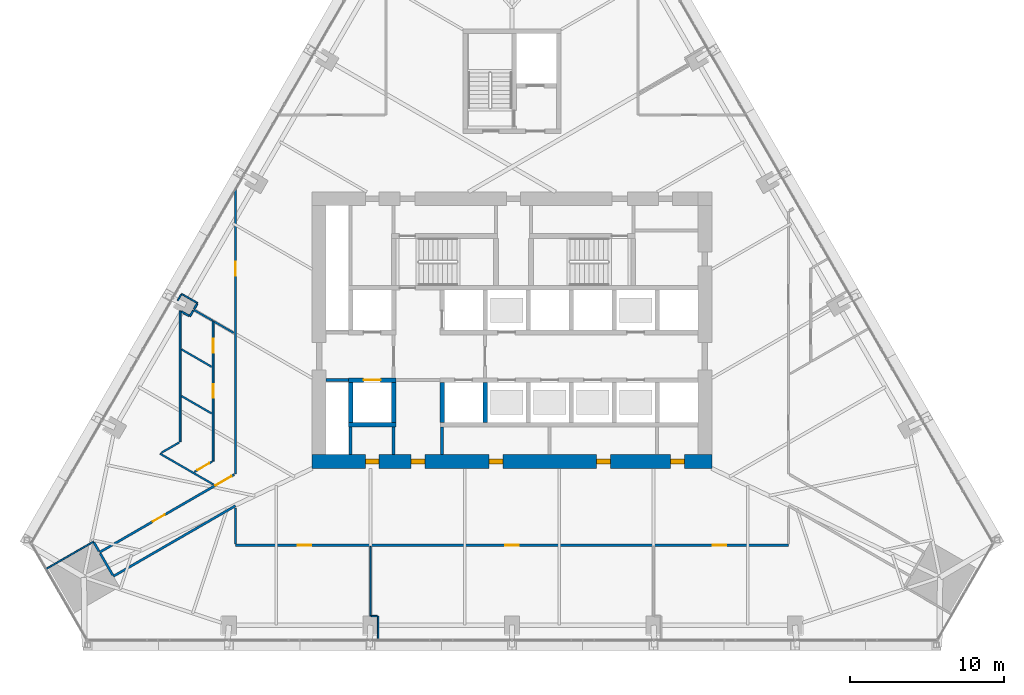
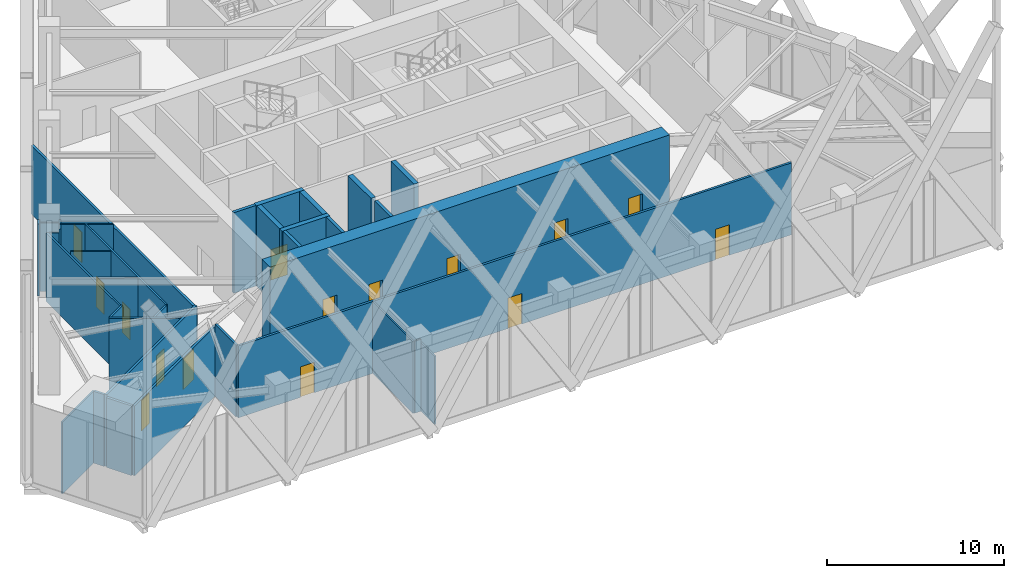
# One storey, part 15 of 21: 36 walls, 15 doors, 15 openings.
"""IFC4 building model written with IfcOpenShell, lengths in metres."""

from ifc_helpers import new_model, si_unit, direction, frame, frame_2d, origin, place, context, subcontext, project, spatial, rectangle, extrude, material, layer, layer_set, type_object, element, fill, save


model = new_model("IFC4")

# Units and contexts
model_context = context("Model", 3, precision=1e-05, world=origin(), true_north=direction((0.0, 1.0)))
body_context = subcontext(model_context, "Body", "Model", "MODEL_VIEW")
ifc_project = project(units=[si_unit("LENGTHUNIT", "METRE"), si_unit("AREAUNIT", "SQUARE_METRE"), si_unit("VOLUMEUNIT", "CUBIC_METRE"), si_unit("PLANEANGLEUNIT", "RADIAN"), si_unit("MASSUNIT", "GRAM", prefix="KILO")], contexts=[model_context])

# Site, building, storey
site_placement = place(None, origin())
site = spatial("IfcSite", under=ifc_project, at=site_placement, CompositionType="ELEMENT")
building_placement = place(site_placement, origin())
building = spatial("IfcBuilding", under=site, at=building_placement, Name="Firuza Gate Tower and Library", CompositionType="ELEMENT")
storey_placement = place(building_placement, frame((0.0, 0.0, 140.800048828125)))
storey = spatial("IfcBuildingStorey", under=building, at=storey_placement, Name="L32", CompositionType="ELEMENT", Elevation=140.800048828125)

# Walls
ifc_material_1 = material(Name="Plasterboard on steel studs", Category="steel")
ifc_layer_1 = layer(ifc_material_1, 0.199951171875)
ifc_layer_set_1 = layer_set([ifc_layer_1], Name="Core partition 200 EI 120")
wall_type_1 = type_object("IfcWallType", Name="Core partition 200 EI 120", PredefinedType="PARTITIONING", material=ifc_layer_set_1)
wall_1_placement = place(storey_placement, frame((62.89990234375, 71.75, 0.0), z_axis=(0.0, 0.0, 1.0), x_axis=(1.0, 0.0, 0.0)))
element("IfcWall", 1, at=wall_1_placement, inside=storey, type_object=wall_type_1, Name="Core partition L32 1", PredefinedType="PARTITIONING", context=body_context, shape_type="SweptSolid", body=[
    extrude(rectangle(XDim=1.4501953125, YDim=0.199951171875, at=frame_2d((0.72509765625, 0.0))), origin(), (0.0, 0.0, 1.0), 5.550048828125),
])
for number, where, z_axis, x_axis, name in (
    (2, (64.5, 66.89990234375, 0.0), (0.0, 0.0, 1.0), (0.0, 1.0, 0.0), "Core partition L32 5"),
    (3, (67.300048828125, 66.89990234375, 0.0), (0.0, 0.0, 1.0), (0.0, 1.0, 0.0), "Core partition L32 7"),
    (4, (70.449951171875, 66.89990234375, 0.0), (0.0, 0.0, 1.0), (0.0, 1.0, 0.0), "Core partition L32 10"),
):
    element("IfcWall", number, at=place(storey_placement, frame(where, z_axis=z_axis, x_axis=x_axis)), inside=storey, type_object=wall_type_1, Name=name, PredefinedType="PARTITIONING", context=body_context, shape_type="SweptSolid", body=[
        extrude(rectangle(XDim=1.800048828125, YDim=0.199951171875, at=frame_2d((0.89990234375, 0.0))), origin(), (0.0, 0.0, 1.0), 5.550048828125),
    ])
ifc_material_2 = material(Name="Concrete C80/95", Category="concrete")
ifc_layer_2 = layer(ifc_material_2, 0.300048828125)
ifc_layer_set_2 = layer_set([ifc_layer_2], Name="Core wall 300 C80/95")
wall_type_2 = type_object("IfcWallType", Name="Core wall 300 C80/95", PredefinedType="SHEAR", material=ifc_layer_set_2)
wall_2_placement = place(storey_placement, frame((64.35009765625, 68.85009765625, 0.0), z_axis=(0.0, 0.0, 1.0), x_axis=(1.0, 0.0, 0.0)))
element("IfcWall", 5, at=wall_2_placement, inside=storey, type_object=wall_type_2, Name="Core wall L32 5", PredefinedType="SHEAR", context=body_context, shape_type="SweptSolid", body=[
    extrude(rectangle(XDim=3.099853515625, YDim=0.300048828125, at=frame_2d((1.5498046875, 0.0))), origin(), (0.0, 0.0, 1.0), 5.550048828125),
])

# Wall, opening, door
wall_3_placement = place(storey_placement, frame((64.35009765625, 71.75, 0.0), z_axis=(0.0, 0.0, 1.0), x_axis=(1.0, 0.0, 0.0)))
wall_3 = element("IfcWall", 6, at=wall_3_placement, inside=storey, type_object=wall_type_2, Name="Core wall L32 7", PredefinedType="SHEAR", context=body_context, shape_type="SweptSolid", body=[
    extrude(rectangle(XDim=3.099853515625, YDim=0.300048828125, at=frame_2d((1.5498046875, 0.0))), origin(), (0.0, 0.0, 1.0), 5.550048828125),
])
opening_1_placement = place(wall_3_placement, frame((1.0, 0.0, 0.0)))
opening_1 = element("IfcOpeningElement", 7, at=opening_1_placement, cuts=wall_3, Name="Opening LD-SA1-L32", PredefinedType="OPENING", context=body_context, shape_type="SweptSolid", body=[
    extrude(rectangle(XDim=1.10009765625, YDim=2.10009765625, at=frame_2d((0.550048828125, 1.050048828125))), frame((0.0, 0.16015625, 0.0), z_axis=(0.0, -1.0, 0.0), x_axis=(1.0, 0.0, 0.0)), (0.0, 0.0, 1.0), 0.320068359375),
])
ifc_material_3 = material(Name="Stainless steel", Category="steel")
door_type_1 = type_object("IfcDoorType", Name="Lift landing door 1100x2100", OperationType="DOUBLE_DOOR_SLIDING", PredefinedType="DOOR", material=ifc_material_3)
door_1_placement = place(opening_1_placement, origin())
door_1 = element("IfcDoor", 8, at=door_1_placement, inside=storey, type_object=door_type_1, Name="Landing door SA1 L32", OperationType="DOUBLE_DOOR_SLIDING", OverallHeight=2.10009765625, OverallWidth=1.10009765625, PredefinedType="DOOR", context=body_context, shape_type="SweptSolid", body=[
    extrude(rectangle(XDim=1.10009765625, YDim=2.10009765625, at=frame_2d((0.550048828125, 1.050048828125))), frame((0.0, 0.02490234375, 0.0), z_axis=(0.0, -1.0, 0.0), x_axis=(1.0, 0.0, 0.0)), (0.0, 0.0, 1.0), 0.050048828125),
])
fill(opening_1, door_1)

# Walls
for number, where, z_axis, x_axis, name in (
    (9, (64.5, 69.0, 0.0), (0.0, 0.0, 1.0), (0.0, 1.0, 0.0), "Core wall L32 11"),
    (10, (67.300048828125, 69.0, 0.0), (0.0, 0.0, 1.0), (0.0, 1.0, 0.0), "Core wall L32 13"),
    (11, (70.449951171875, 69.0, 0.0), (0.0, 0.0, 1.0), (0.0, 1.0, 0.0), "Core wall L32 15"),
    (12, (73.25, 69.0, 0.0), (0.0, 0.0, 1.0), (0.0, 1.0, 0.0), "Core wall L32 17"),
):
    element("IfcWall", number, at=place(storey_placement, frame(where, z_axis=z_axis, x_axis=x_axis)), inside=storey, type_object=wall_type_2, Name=name, PredefinedType="SHEAR", context=body_context, shape_type="SweptSolid", body=[
        extrude(rectangle(XDim=2.60009765625, YDim=0.300048828125, at=frame_2d((1.300048828125, 0.0))), origin(), (0.0, 0.0, 1.0), 5.550048828125),
    ])

# Wall, openings, doors
ifc_material_4 = material(Name="Concrete C80/95", Category="concrete")
ifc_layer_3 = layer(ifc_material_4, 0.89990234375)
ifc_layer_set_3 = layer_set([ifc_layer_3], Name="Core wall 900 C80/95")
wall_type_3 = type_object("IfcWallType", Name="Core wall 900 C80/95", PredefinedType="SHEAR", material=ifc_layer_set_3)
wall_4_placement = place(storey_placement, frame((62.0, 66.449951171875, 0.0), z_axis=(0.0, 0.0, 1.0), x_axis=(1.0, 0.0, 0.0)))
wall_4 = element("IfcWall", 13, at=wall_4_placement, inside=storey, type_object=wall_type_3, Name="Core wall L32 1", PredefinedType="SHEAR", context=body_context, shape_type="SweptSolid", body=[
    extrude(rectangle(XDim=26.0, YDim=0.89990234375, at=frame_2d((13.0, 0.0))), origin(), (0.0, 0.0, 1.0), 5.550048828125),
])
opening_2_placement = place(wall_4_placement, frame((3.449951171875, 0.0, 0.0)))
opening_2 = element("IfcOpeningElement", 14, at=opening_2_placement, cuts=wall_4, Name="Opening L32-K24", PredefinedType="OPENING", context=body_context, shape_type="SweptSolid", body=[
    extrude(rectangle(XDim=0.89990234375, YDim=2.10009765625, at=frame_2d((0.449951171875, 1.050048828125))), frame((0.0, 0.4599609375, 0.0), z_axis=(0.0, -1.0, 0.0), x_axis=(1.0, 0.0, 0.0)), (0.0, 0.0, 1.0), 0.919921875),
])
opening_3_placement = place(wall_4_placement, frame((6.425048828125, 0.0, 0.0)))
opening_3 = element("IfcOpeningElement", 15, at=opening_3_placement, cuts=wall_4, Name="Opening L32-K25", PredefinedType="OPENING", context=body_context, shape_type="SweptSolid", body=[
    extrude(rectangle(XDim=0.89990234375, YDim=2.10009765625, at=frame_2d((0.449951171875, 1.050048828125))), frame((0.0, 0.4599609375, 0.0), z_axis=(0.0, -1.0, 0.0), x_axis=(1.0, 0.0, 0.0)), (0.0, 0.0, 1.0), 0.919921875),
])
opening_4_placement = place(wall_4_placement, frame((11.5, 0.0, 0.0)))
opening_4 = element("IfcOpeningElement", 16, at=opening_4_placement, cuts=wall_4, Name="Opening L32-K26", PredefinedType="OPENING", context=body_context, shape_type="SweptSolid", body=[
    extrude(rectangle(XDim=0.89990234375, YDim=2.10009765625, at=frame_2d((0.449951171875, 1.050048828125))), frame((0.0, 0.4599609375, 0.0), z_axis=(0.0, -1.0, 0.0), x_axis=(1.0, 0.0, 0.0)), (0.0, 0.0, 1.0), 0.919921875),
])
opening_5_placement = place(wall_4_placement, frame((18.5, 0.0, 0.0)))
opening_5 = element("IfcOpeningElement", 17, at=opening_5_placement, cuts=wall_4, Name="Opening L32-K27", PredefinedType="OPENING", context=body_context, shape_type="SweptSolid", body=[
    extrude(rectangle(XDim=0.89990234375, YDim=2.10009765625, at=frame_2d((0.449951171875, 1.050048828125))), frame((0.0, 0.4599609375, 0.0), z_axis=(0.0, -1.0, 0.0), x_axis=(1.0, 0.0, 0.0)), (0.0, 0.0, 1.0), 0.919921875),
])
opening_6_placement = place(wall_4_placement, frame((23.324951171875, 0.0, 0.0)))
opening_6 = element("IfcOpeningElement", 18, at=opening_6_placement, cuts=wall_4, Name="Opening L32-K28", PredefinedType="OPENING", context=body_context, shape_type="SweptSolid", body=[
    extrude(rectangle(XDim=0.89990234375, YDim=2.10009765625, at=frame_2d((0.449951171875, 1.050048828125))), frame((0.0, 0.4599609375, 0.0), z_axis=(0.0, -1.0, 0.0), x_axis=(1.0, 0.0, 0.0)), (0.0, 0.0, 1.0), 0.919921875),
])
ifc_material_5 = material(Name="Steel", Category="steel")
door_type_2 = type_object("IfcDoorType", Name="Fire door 900x2100 FD30S", OperationType="NOTDEFINED", PredefinedType="DOOR", material=ifc_material_5)
door_2_placement = place(opening_2_placement, origin())
door_2 = element("IfcDoor", 19, at=door_2_placement, inside=storey, type_object=door_type_2, Name="Door L32-K24", OperationType="SINGLE_SWING_LEFT", OverallHeight=2.10009765625, OverallWidth=0.89990234375, PredefinedType="DOOR", context=body_context, shape_type="SweptSolid", body=[
    extrude(rectangle(XDim=0.89990234375, YDim=2.10009765625, at=frame_2d((0.449951171875, 1.050048828125))), frame((0.0, 0.169921875, 0.0), z_axis=(0.0, -1.0, 0.0), x_axis=(1.0, 0.0, 0.0)), (0.0, 0.0, 1.0), 0.33984375),
])
fill(opening_2, door_2)
door_3_placement = place(opening_3_placement, origin())
door_3 = element("IfcDoor", 20, at=door_3_placement, inside=storey, type_object=door_type_2, Name="Door L32-K25", OperationType="SINGLE_SWING_RIGHT", OverallHeight=2.10009765625, OverallWidth=0.89990234375, PredefinedType="DOOR", context=body_context, shape_type="SweptSolid", body=[
    extrude(rectangle(XDim=0.89990234375, YDim=2.10009765625, at=frame_2d((0.449951171875, 1.050048828125))), frame((0.0, 0.169921875, 0.0), z_axis=(0.0, -1.0, 0.0), x_axis=(1.0, 0.0, 0.0)), (0.0, 0.0, 1.0), 0.33984375),
])
fill(opening_3, door_3)
door_4_placement = place(opening_4_placement, origin())
door_4 = element("IfcDoor", 21, at=door_4_placement, inside=storey, type_object=door_type_2, Name="Door L32-K26", OperationType="SINGLE_SWING_LEFT", OverallHeight=2.10009765625, OverallWidth=0.89990234375, PredefinedType="DOOR", context=body_context, shape_type="SweptSolid", body=[
    extrude(rectangle(XDim=0.89990234375, YDim=2.10009765625, at=frame_2d((0.449951171875, 1.050048828125))), frame((0.0, 0.169921875, 0.0), z_axis=(0.0, -1.0, 0.0), x_axis=(1.0, 0.0, 0.0)), (0.0, 0.0, 1.0), 0.33984375),
])
fill(opening_4, door_4)
door_5_placement = place(opening_5_placement, origin())
door_5 = element("IfcDoor", 22, at=door_5_placement, inside=storey, type_object=door_type_2, Name="Door L32-K27", OperationType="SINGLE_SWING_RIGHT", OverallHeight=2.10009765625, OverallWidth=0.89990234375, PredefinedType="DOOR", context=body_context, shape_type="SweptSolid", body=[
    extrude(rectangle(XDim=0.89990234375, YDim=2.10009765625, at=frame_2d((0.449951171875, 1.050048828125))), frame((0.0, 0.169921875, 0.0), z_axis=(0.0, -1.0, 0.0), x_axis=(1.0, 0.0, 0.0)), (0.0, 0.0, 1.0), 0.33984375),
])
fill(opening_5, door_5)
door_6_placement = place(opening_6_placement, origin())
door_6 = element("IfcDoor", 23, at=door_6_placement, inside=storey, type_object=door_type_2, Name="Door L32-K28", OperationType="SINGLE_SWING_LEFT", OverallHeight=2.10009765625, OverallWidth=0.89990234375, PredefinedType="DOOR", context=body_context, shape_type="SweptSolid", body=[
    extrude(rectangle(XDim=0.89990234375, YDim=2.10009765625, at=frame_2d((0.449951171875, 1.050048828125))), frame((0.0, 0.169921875, 0.0), z_axis=(0.0, -1.0, 0.0), x_axis=(1.0, 0.0, 0.0)), (0.0, 0.0, 1.0), 0.33984375),
])
fill(opening_6, door_6)

ifc_material_6 = material(Name="Gypsum board partition")
ifc_layer_4 = layer(ifc_material_6, 0.14990234375)
ifc_layer_set_4 = layer_set([ifc_layer_4], Name="Corridor wall 150 double board on steel studs")
wall_type_4 = type_object("IfcWallType", Name="Corridor wall 150 double board on steel studs", PredefinedType="PARTITIONING", material=ifc_layer_set_4)
wall_5_placement = place(storey_placement, frame((92.99951171875, 61.0, 0.0), z_axis=(0.0, 0.0, 1.0), x_axis=(-1.0, 0.0, 0.0)))
wall_5 = element("IfcWall", 24, at=wall_5_placement, inside=storey, type_object=wall_type_4, Name="f:L32:w002", PredefinedType="PARTITIONING", context=body_context, shape_type="SweptSolid", body=[
    extrude(rectangle(XDim=35.9990234375, YDim=0.14990234375, at=frame_2d((17.99951171875, 0.0))), origin(), (0.0, 0.0, 1.0), 4.949951171875),
])
opening_7_placement = place(wall_5_placement, frame((4.0478515625, 0.0, 0.0)))
opening_7 = element("IfcOpeningElement", 25, at=opening_7_placement, cuts=wall_5, Name="Opening L32-01", PredefinedType="OPENING", context=body_context, shape_type="SweptSolid", body=[
    extrude(rectangle(XDim=0.89990234375, YDim=2.10009765625, at=frame_2d((0.449951171875, 1.050048828125))), frame((0.0, 0.0849609375, 0.0), z_axis=(0.0, -1.0, 0.0), x_axis=(1.0, 0.0, 0.0)), (0.0, 0.0, 1.0), 0.169921875),
])
opening_8_placement = place(wall_5_placement, frame((17.549560546875, 0.0, 0.0)))
opening_8 = element("IfcOpeningElement", 26, at=opening_8_placement, cuts=wall_5, Name="Opening L32-02", PredefinedType="OPENING", context=body_context, shape_type="SweptSolid", body=[
    extrude(rectangle(XDim=0.89990234375, YDim=2.10009765625, at=frame_2d((0.449951171875, 1.050048828125))), frame((0.0, 0.0849609375, 0.0), z_axis=(0.0, -1.0, 0.0), x_axis=(1.0, 0.0, 0.0)), (0.0, 0.0, 1.0), 0.169921875),
])
opening_9_placement = place(wall_5_placement, frame((31.051025390625, 0.0, 0.0)))
opening_9 = element("IfcOpeningElement", 27, at=opening_9_placement, cuts=wall_5, Name="Opening L32-03", PredefinedType="OPENING", context=body_context, shape_type="SweptSolid", body=[
    extrude(rectangle(XDim=0.89990234375, YDim=2.10009765625, at=frame_2d((0.449951171875, 1.050048828125))), frame((0.0, 0.0849609375, 0.0), z_axis=(0.0, -1.0, 0.0), x_axis=(1.0, 0.0, 0.0)), (0.0, 0.0, 1.0), 0.169921875),
])
ifc_material_7 = material(Name="Steel door and timber leaf", Category="steel")
door_type_3 = type_object("IfcDoorType", Name="Fire door 900 x 2100 steel frame, timber leaf", OperationType="NOTDEFINED", PredefinedType="DOOR", material=ifc_material_7)
door_7_placement = place(opening_7_placement, origin())
door_7 = element("IfcDoor", 28, at=door_7_placement, inside=storey, type_object=door_type_3, Name="f:L32:d001", OperationType="SINGLE_SWING_RIGHT", OverallHeight=2.10009765625, OverallWidth=0.89990234375, PredefinedType="DOOR", context=body_context, shape_type="SweptSolid", body=[
    extrude(rectangle(XDim=0.89990234375, YDim=2.10009765625, at=frame_2d((0.449951171875, 1.050048828125))), frame((0.0, 0.02490234375, 0.0), z_axis=(0.0, -1.0, 0.0), x_axis=(1.0, 0.0, 0.0)), (0.0, 0.0, 1.0), 0.050048828125),
])
fill(opening_7, door_7)
door_8_placement = place(opening_8_placement, origin())
door_8 = element("IfcDoor", 29, at=door_8_placement, inside=storey, type_object=door_type_3, Name="f:L32:d002", OperationType="SINGLE_SWING_LEFT", OverallHeight=2.10009765625, OverallWidth=0.89990234375, PredefinedType="DOOR", context=body_context, shape_type="SweptSolid", body=[
    extrude(rectangle(XDim=0.89990234375, YDim=2.10009765625, at=frame_2d((0.449951171875, 1.050048828125))), frame((0.0, 0.02490234375, 0.0), z_axis=(0.0, -1.0, 0.0), x_axis=(1.0, 0.0, 0.0)), (0.0, 0.0, 1.0), 0.050048828125),
])
fill(opening_8, door_8)
door_9_placement = place(opening_9_placement, origin())
door_9 = element("IfcDoor", 30, at=door_9_placement, inside=storey, type_object=door_type_3, Name="f:L32:d003", OperationType="SINGLE_SWING_RIGHT", OverallHeight=2.10009765625, OverallWidth=0.89990234375, PredefinedType="DOOR", context=body_context, shape_type="SweptSolid", body=[
    extrude(rectangle(XDim=0.89990234375, YDim=2.10009765625, at=frame_2d((0.449951171875, 1.050048828125))), frame((0.0, 0.02490234375, 0.0), z_axis=(0.0, -1.0, 0.0), x_axis=(1.0, 0.0, 0.0)), (0.0, 0.0, 1.0), 0.050048828125),
])
fill(opening_9, door_9)

# Wall
wall_6_placement = place(storey_placement, frame((49.061279296875, 58.985107421875, 0.0), z_axis=(0.0, 0.0, 1.0), x_axis=(0.866021929094, 0.500006018292, 0.0)))
element("IfcWall", 31, at=wall_6_placement, inside=storey, type_object=wall_type_4, Name="f:L32:w013", PredefinedType="PARTITIONING", context=body_context, shape_type="SweptSolid", body=[
    extrude(rectangle(XDim=9.1669921875, YDim=0.14990234375, at=frame_2d((4.58349609375, 0.0))), origin(), (0.0, 0.0, 1.0), 4.796875),
])

# Wall, openings, doors
wall_7_placement = place(storey_placement, frame((48.1611328125, 60.5439453125, 0.0), z_axis=(0.0, 0.0, 1.0), x_axis=(0.866026893599, 0.499997419557, 0.0)))
wall_7 = element("IfcWall", 32, at=wall_7_placement, inside=storey, type_object=wall_type_4, Name="f:L32:w014", PredefinedType="PARTITIONING", context=body_context, shape_type="SweptSolid", body=[
    extrude(rectangle(XDim=10.11962890625, YDim=0.14990234375, at=frame_2d((5.059814453125, 0.0))), origin(), (0.0, 0.0, 1.0), 4.949951171875),
])
opening_10_placement = place(wall_7_placement, frame((3.99609375, 0.0, 0.0)))
opening_10 = element("IfcOpeningElement", 33, at=opening_10_placement, cuts=wall_7, Name="Opening L32-07", PredefinedType="OPENING", context=body_context, shape_type="SweptSolid", body=[
    extrude(rectangle(XDim=0.89990234375, YDim=2.10009765625, at=frame_2d((0.449951171875, 1.050048828125))), frame((0.0, 0.0849609375, 0.0), z_axis=(0.0, -1.0, 0.0), x_axis=(1.0, 0.0, 0.0)), (0.0, 0.0, 1.0), 0.169921875),
])
opening_11_placement = place(wall_7_placement, frame((8.70263671875, 0.0, 0.0)))
opening_11 = element("IfcOpeningElement", 34, at=opening_11_placement, cuts=wall_7, Name="Opening L32-08", PredefinedType="OPENING", context=body_context, shape_type="SweptSolid", body=[
    extrude(rectangle(XDim=1.199951171875, YDim=2.10009765625, at=frame_2d((0.60009765625, 1.050048828125))), frame((0.0, 0.0849609375, 0.0), z_axis=(0.0, -1.0, 0.0), x_axis=(1.0, 0.0, 0.0)), (0.0, 0.0, 1.0), 0.169921875),
])
ifc_material_8 = material(Name="Steel door and timber leaf", Category="steel")
door_type_4 = type_object("IfcDoorType", Name="Fire door 1200 x 2100 steel frame, double leaf", OperationType="NOTDEFINED", PredefinedType="DOOR", material=ifc_material_8)
door_10_placement = place(opening_11_placement, origin())
door_10 = element("IfcDoor", 35, at=door_10_placement, inside=storey, type_object=door_type_4, Name="f:L32:d008", OperationType="DOUBLE_DOOR_SINGLE_SWING", OverallHeight=2.10009765625, OverallWidth=1.199951171875, PredefinedType="DOOR", context=body_context, shape_type="SweptSolid", body=[
    extrude(rectangle(XDim=1.199951171875, YDim=2.10009765625, at=frame_2d((0.60009765625, 1.050048828125))), frame((0.0, 0.02490234375, 0.0), z_axis=(0.0, -1.0, 0.0), x_axis=(1.0, 0.0, 0.0)), (0.0, 0.0, 1.0), 0.050048828125),
])
fill(opening_11, door_10)
door_11_placement = place(opening_10_placement, origin())
door_11 = element("IfcDoor", 36, at=door_11_placement, inside=storey, type_object=door_type_3, Name="f:L32:d007", OperationType="SINGLE_SWING_RIGHT", OverallHeight=2.10009765625, OverallWidth=0.89990234375, PredefinedType="DOOR", context=body_context, shape_type="SweptSolid", body=[
    extrude(rectangle(XDim=0.89990234375, YDim=2.10009765625, at=frame_2d((0.449951171875, 1.050048828125))), frame((0.0, 0.02490234375, 0.0), z_axis=(0.0, -1.0, 0.0), x_axis=(1.0, 0.0, 0.0)), (0.0, 0.0, 1.0), 0.050048828125),
])
fill(opening_10, door_11)

# Wall
wall_8_placement = place(storey_placement, frame((57.0, 61.075439453125, 0.0), z_axis=(0.0, 0.0, 1.0), x_axis=(0.0, 1.0, 0.0)))
element("IfcWall", 37, at=wall_8_placement, inside=storey, type_object=wall_type_4, Name="f:L32:w035", PredefinedType="PARTITIONING", context=body_context, shape_type="SweptSolid", body=[
    extrude(rectangle(XDim=2.3564453125, YDim=0.14990234375, at=frame_2d((1.17822265625, 0.0))), origin(), (0.0, 0.0, 1.0), 4.949951171875),
])

# Wall, opening, door
wall_9_placement = place(storey_placement, frame((57.0, 65.64697265625, 0.0), z_axis=(0.0, 0.0, 1.0), x_axis=(0.0, 1.0, 0.0)))
wall_9 = element("IfcWall", 38, at=wall_9_placement, inside=storey, type_object=wall_type_4, Name="f:L32:w036", PredefinedType="PARTITIONING", context=body_context, shape_type="SweptSolid", body=[
    extrude(rectangle(XDim=18.5029296875, YDim=0.14990234375, at=frame_2d((9.25146484375, 0.0))), origin(), (0.0, 0.0, 1.0), 4.71484375),
])
opening_12_placement = place(wall_9_placement, frame((12.897216796875, 0.0, 0.0)))
opening_12 = element("IfcOpeningElement", 39, at=opening_12_placement, cuts=wall_9, Name="Opening L32-14", PredefinedType="OPENING", context=body_context, shape_type="SweptSolid", body=[
    extrude(rectangle(XDim=0.89990234375, YDim=2.10009765625, at=frame_2d((0.449951171875, 1.050048828125))), frame((0.0, 0.0849609375, 0.0), z_axis=(0.0, -1.0, 0.0), x_axis=(1.0, 0.0, 0.0)), (0.0, 0.0, 1.0), 0.169921875),
])
door_12_placement = place(opening_12_placement, origin())
door_12 = element("IfcDoor", 40, at=door_12_placement, inside=storey, type_object=door_type_3, Name="f:L32:d014", OperationType="SINGLE_SWING_LEFT", OverallHeight=2.10009765625, OverallWidth=0.89990234375, PredefinedType="DOOR", context=body_context, shape_type="SweptSolid", body=[
    extrude(rectangle(XDim=0.89990234375, YDim=2.10009765625, at=frame_2d((0.449951171875, 1.050048828125))), frame((0.0, 0.02490234375, 0.0), z_axis=(0.0, -1.0, 0.0), x_axis=(1.0, 0.0, 0.0)), (0.0, 0.0, 1.0), 0.050048828125),
])
fill(opening_12, door_12)

# Walls
wall_10_placement = place(storey_placement, frame((49.022705078125, 59.050048828125, 0.0), z_axis=(0.0, 0.0, 1.0), x_axis=(-0.499991515992, 0.866030301974, 0.0)))
element("IfcWall", 41, at=wall_10_placement, inside=storey, type_object=wall_type_4, Name="f:L32:w040", PredefinedType="PARTITIONING", context=body_context, shape_type="SweptSolid", body=[
    extrude(rectangle(XDim=1.6494140625, YDim=0.14990234375, at=frame_2d((0.82470703125, 0.0))), origin(), (0.0, 0.0, 1.0), 4.796875),
])
wall_11_placement = place(storey_placement, frame((48.123046875, 60.6083984375, 0.0), z_axis=(0.0, 0.0, 1.0), x_axis=(-0.499837337514, 0.866119296648, 0.0)))
element("IfcWall", 42, at=wall_11_placement, inside=storey, type_object=wall_type_4, Name="f:L32:w052", PredefinedType="PARTITIONING", context=body_context, shape_type="SweptSolid", body=[
    extrude(rectangle(XDim=0.674560546875, YDim=0.14990234375, at=frame_2d((0.33740234375, 0.0))), origin(), (0.0, 0.0, 1.0), 4.949951171875),
])
ifc_material_9 = material(Name="Gypsum board partition")
ifc_layer_5 = layer(ifc_material_9, 0.10009765625)
ifc_layer_set_5 = layer_set([ifc_layer_5], Name="Partition 100 gypsum board on steel studs")
wall_type_5 = type_object("IfcWallType", Name="Partition 100 gypsum board on steel studs", PredefinedType="PARTITIONING", material=ifc_layer_set_5)
wall_12_placement = place(storey_placement, frame((65.84326171875, 56.39697265625, 0.0), z_axis=(0.0, 0.0, 1.0), x_axis=(1.0, 0.0, 0.0)))
element("IfcWall", 43, at=wall_12_placement, inside=storey, type_object=wall_type_5, Name="f:L32:w000", PredefinedType="PARTITIONING", context=body_context, shape_type="SweptSolid", body=[
    extrude(rectangle(XDim=0.3994140625, YDim=0.10009765625, at=frame_2d((0.19970703125, 0.0))), origin(), (0.0, 0.0, 1.0), 4.949951171875),
])
wall_13_placement = place(storey_placement, frame((44.677734375, 59.45654296875, 0.0), z_axis=(0.0, 0.0, 1.0), x_axis=(0.866031398331, 0.499989616998, 0.0)))
element("IfcWall", 44, at=wall_13_placement, inside=storey, type_object=wall_type_5, Name="f:L32:w015", PredefinedType="PARTITIONING", context=body_context, shape_type="SweptSolid", body=[
    extrude(rectangle(XDim=3.5595703125, YDim=0.10009765625, at=frame_2d((1.77978515625, 0.0))), origin(), (0.0, 0.0, 1.0), 4.949951171875),
])
wall_14_placement = place(storey_placement, frame((53.24609375, 76.928955078125, 0.0), z_axis=(0.0, 0.0, 1.0), x_axis=(0.500114568548, 0.865959247497, 0.0)))
element("IfcWall", 45, at=wall_14_placement, inside=storey, type_object=wall_type_5, Name="f:L32:w022", PredefinedType="PARTITIONING", context=body_context, shape_type="SweptSolid", body=[
    extrude(rectangle(XDim=0.44921875, YDim=0.10009765625, at=frame_2d((0.224609375, 0.0))), origin(), (0.0, 0.0, 1.0), 4.949951171875),
])
wall_15_placement = place(storey_placement, frame((66.29296875, 54.83642578125, 0.0), z_axis=(0.0, 0.0, 1.0), x_axis=(0.0, 1.0, 0.0)))
element("IfcWall", 46, at=wall_15_placement, inside=storey, type_object=wall_type_5, Name="f:L32:w033", PredefinedType="PARTITIONING", context=body_context, shape_type="SweptSolid", body=[
    extrude(rectangle(XDim=1.5595703125, YDim=0.10009765625, at=frame_2d((0.77978515625, 0.0))), origin(), (0.0, 0.0, 1.0), 4.71484375),
])
wall_16_placement = place(storey_placement, frame((65.79296875, 56.396484375, 0.0), z_axis=(0.0, 0.0, 1.0), x_axis=(0.0, 1.0, 0.0)))
element("IfcWall", 47, at=wall_16_placement, inside=storey, type_object=wall_type_5, Name="f:L32:w034", PredefinedType="PARTITIONING", context=body_context, shape_type="SweptSolid", body=[
    extrude(rectangle(XDim=4.528564453125, YDim=0.10009765625, at=frame_2d((2.26416015625, 0.0))), origin(), (0.0, 0.0, 1.0), 4.949951171875),
])
wall_17_placement = place(storey_placement, frame((54.53515625, 76.761474609375, 0.0), z_axis=(0.0, 0.0, 1.0), x_axis=(-0.866029639064, 0.499992664208, 0.0)))
element("IfcWall", 48, at=wall_17_placement, inside=storey, type_object=wall_type_5, Name="f:L32:w044", PredefinedType="PARTITIONING", context=body_context, shape_type="SweptSolid", body=[
    extrude(rectangle(XDim=1.19921875, YDim=0.10009765625, at=frame_2d((0.599609375, 0.0))), origin(), (0.0, 0.0, 1.0), 4.71484375),
])

# Wall, opening, door
ifc_material_10 = material(Name="Gypsum board partition")
ifc_layer_6 = layer(ifc_material_10, 0.1201171875)
ifc_layer_set_6 = layer_set([ifc_layer_6], Name="Wet-area partition 120 moisture-resistant board")
wall_type_6 = type_object("IfcWallType", Name="Wet-area partition 120 moisture-resistant board", PredefinedType="PARTITIONING", material=ifc_layer_set_6)
wall_18_placement = place(storey_placement, frame((54.3310546875, 65.780517578125, 0.0), z_axis=(0.0, 0.0, 1.0), x_axis=(0.866079256742, 0.499906712339, 0.0)))
wall_18 = element("IfcWall", 49, at=wall_18_placement, inside=storey, type_object=wall_type_6, Name="f:L32:w016", PredefinedType="PARTITIONING", context=body_context, shape_type="SweptSolid", body=[
    extrude(rectangle(XDim=1.338134765625, YDim=0.1201171875, at=frame_2d((0.6689453125, 0.0))), origin(), (0.0, 0.0, 1.0), 4.949951171875),
])
opening_13_placement = place(wall_18_placement, frame((0.218994140625, 0.0, 0.0)))
opening_13 = element("IfcOpeningElement", 50, at=opening_13_placement, cuts=wall_18, Name="Opening L32-09", PredefinedType="OPENING", context=body_context, shape_type="SweptSolid", body=[
    extrude(rectangle(XDim=0.89990234375, YDim=2.10009765625, at=frame_2d((0.449951171875, 1.050048828125))), frame((0.0, 0.070068359375, 0.0), z_axis=(0.0, -1.0, 0.0), x_axis=(1.0, 0.0, 0.0)), (0.0, 0.0, 1.0), 0.14013671875),
])
ifc_material_11 = material(Name="Timber door", Category="wood")
door_type_5 = type_object("IfcDoorType", Name="Door 900 x 2100 timber leaf", OperationType="NOTDEFINED", PredefinedType="DOOR", material=ifc_material_11)
door_13_placement = place(opening_13_placement, origin())
door_13 = element("IfcDoor", 51, at=door_13_placement, inside=storey, type_object=door_type_5, Name="f:L32:d009", OperationType="SINGLE_SWING_LEFT", OverallHeight=2.10009765625, OverallWidth=0.89990234375, PredefinedType="DOOR", context=body_context, shape_type="SweptSolid", body=[
    extrude(rectangle(XDim=0.89990234375, YDim=2.10009765625, at=frame_2d((0.449951171875, 1.050048828125))), frame((0.0, 0.02490234375, 0.0), z_axis=(0.0, -1.0, 0.0), x_axis=(1.0, 0.0, 0.0)), (0.0, 0.0, 1.0), 0.050048828125),
])
fill(opening_13, door_13)

# Walls
wall_19_placement = place(storey_placement, frame((52.181884765625, 67.022216796875, 0.0), z_axis=(0.0, 0.0, 1.0), x_axis=(0.86600919026, 0.500028081597, 0.0)))
element("IfcWall", 52, at=wall_19_placement, inside=storey, type_object=wall_type_6, Name="f:L32:w017", PredefinedType="PARTITIONING", context=body_context, shape_type="SweptSolid", body=[
    extrude(rectangle(XDim=1.3369140625, YDim=0.1201171875, at=frame_2d((0.66845703125, 0.0))), origin(), (0.0, 0.0, 1.0), 4.949951171875),
])
wall_20_placement = place(storey_placement, frame((54.035400390625, 75.89599609375, 0.0), z_axis=(0.0, 0.0, 1.0), x_axis=(0.499962889934, 0.866046828231, 0.0)))
element("IfcWall", 53, at=wall_20_placement, inside=storey, type_object=wall_type_6, Name="f:L32:w021", PredefinedType="PARTITIONING", context=body_context, shape_type="SweptSolid", body=[
    extrude(rectangle(XDim=0.439453125, YDim=0.1201171875, at=frame_2d((0.2197265625, 0.0))), origin(), (0.0, 0.0, 1.0), 4.949951171875),
])

# Wall, openings, doors
wall_21_placement = place(storey_placement, frame((55.550048828125, 75.598388671875, 0.0), z_axis=(0.0, 0.0, 1.0), x_axis=(0.0, -1.0, 0.0)))
wall_21 = element("IfcWall", 54, at=wall_21_placement, inside=storey, type_object=wall_type_6, Name="f:L32:w037", PredefinedType="PARTITIONING", context=body_context, shape_type="SweptSolid", body=[
    extrude(rectangle(XDim=9.1142578125, YDim=0.1201171875, at=frame_2d((4.55712890625, 0.0))), origin(), (0.0, 0.0, 1.0), 4.949951171875),
])
opening_14_placement = place(wall_21_placement, frame((1.170166015625, 0.0, 0.0)))
opening_14 = element("IfcOpeningElement", 55, at=opening_14_placement, cuts=wall_21, Name="Opening L32-15", PredefinedType="OPENING", context=body_context, shape_type="SweptSolid", body=[
    extrude(rectangle(XDim=0.89990234375, YDim=2.10009765625, at=frame_2d((0.449951171875, 1.050048828125))), frame((0.0, 0.070068359375, 0.0), z_axis=(0.0, -1.0, 0.0), x_axis=(1.0, 0.0, 0.0)), (0.0, 0.0, 1.0), 0.14013671875),
])
opening_15_placement = place(wall_21_placement, frame((4.10595703125, 0.0, 0.0)))
opening_15 = element("IfcOpeningElement", 56, at=opening_15_placement, cuts=wall_21, Name="Opening L32-16", PredefinedType="OPENING", context=body_context, shape_type="SweptSolid", body=[
    extrude(rectangle(XDim=0.89990234375, YDim=2.10009765625, at=frame_2d((0.449951171875, 1.050048828125))), frame((0.0, 0.070068359375, 0.0), z_axis=(0.0, -1.0, 0.0), x_axis=(1.0, 0.0, 0.0)), (0.0, 0.0, 1.0), 0.14013671875),
])
door_14_placement = place(opening_14_placement, origin())
door_14 = element("IfcDoor", 57, at=door_14_placement, inside=storey, type_object=door_type_5, Name="f:L32:d015", OperationType="SINGLE_SWING_RIGHT", OverallHeight=2.10009765625, OverallWidth=0.89990234375, PredefinedType="DOOR", context=body_context, shape_type="SweptSolid", body=[
    extrude(rectangle(XDim=0.89990234375, YDim=2.10009765625, at=frame_2d((0.449951171875, 1.050048828125))), frame((0.0, 0.02490234375, 0.0), z_axis=(0.0, -1.0, 0.0), x_axis=(1.0, 0.0, 0.0)), (0.0, 0.0, 1.0), 0.050048828125),
])
fill(opening_14, door_14)
door_15_placement = place(opening_15_placement, origin())
door_15 = element("IfcDoor", 58, at=door_15_placement, inside=storey, type_object=door_type_5, Name="f:L32:d016", OperationType="SINGLE_SWING_LEFT", OverallHeight=2.10009765625, OverallWidth=0.89990234375, PredefinedType="DOOR", context=body_context, shape_type="SweptSolid", body=[
    extrude(rectangle(XDim=0.89990234375, YDim=2.10009765625, at=frame_2d((0.449951171875, 1.050048828125))), frame((0.0, 0.02490234375, 0.0), z_axis=(0.0, -1.0, 0.0), x_axis=(1.0, 0.0, 0.0)), (0.0, 0.0, 1.0), 0.050048828125),
])
fill(opening_15, door_15)

# Walls
wall_22_placement = place(storey_placement, frame((53.39990234375, 67.7255859375, 0.0), z_axis=(0.0, 0.0, 1.0), x_axis=(0.0, 1.0, 0.0)))
element("IfcWall", 59, at=wall_22_placement, inside=storey, type_object=wall_type_6, Name="f:L32:w038", PredefinedType="PARTITIONING", context=body_context, shape_type="SweptSolid", body=[
    extrude(rectangle(XDim=8.535888671875, YDim=0.1201171875, at=frame_2d((4.26806640625, 0.0))), origin(), (0.0, 0.0, 1.0), 4.71484375),
])
wall_23_placement = place(storey_placement, frame((56.890380859375, 74.824462890625, 0.0), z_axis=(0.0, 0.0, 1.0), x_axis=(-0.866039173598, 0.499976149225, 0.0)))
element("IfcWall", 60, at=wall_23_placement, inside=storey, type_object=wall_type_6, Name="f:L32:w045", PredefinedType="PARTITIONING", context=body_context, shape_type="SweptSolid", body=[
    extrude(rectangle(XDim=1.44384765625, YDim=0.1201171875, at=frame_2d((0.721923828125, 0.0))), origin(), (0.0, 0.0, 1.0), 4.949951171875),
])
wall_24_placement = place(storey_placement, frame((53.983154296875, 75.925537109375, 0.0), z_axis=(0.0, 0.0, 1.0), x_axis=(-0.865940158947, 0.500147619332, 0.0)))
element("IfcWall", 61, at=wall_24_placement, inside=storey, type_object=wall_type_6, Name="f:L32:w046", PredefinedType="PARTITIONING", context=body_context, shape_type="SweptSolid", body=[
    extrude(rectangle(XDim=0.563232421875, YDim=0.1201171875, at=frame_2d((0.28173828125, 0.0))), origin(), (0.0, 0.0, 1.0), 4.71484375),
])
wall_25_placement = place(storey_placement, frame((55.45556640625, 72.615966796875, 0.0), z_axis=(0.0, 0.0, 1.0), x_axis=(-0.866011396007, 0.500024261398, 0.0)))
element("IfcWall", 62, at=wall_25_placement, inside=storey, type_object=wall_type_6, Name="f:L32:w047", PredefinedType="PARTITIONING", context=body_context, shape_type="SweptSolid", body=[
    extrude(rectangle(XDim=2.26416015625, YDim=0.1201171875, at=frame_2d((1.132080078125, 0.0))), origin(), (0.0, 0.0, 1.0), 4.949951171875),
])
wall_26_placement = place(storey_placement, frame((55.455322265625, 69.578125, 0.0), z_axis=(0.0, 0.0, 1.0), x_axis=(-0.866058089564, 0.499943382296, 0.0)))
element("IfcWall", 63, at=wall_26_placement, inside=storey, type_object=wall_type_6, Name="f:L32:w048", PredefinedType="PARTITIONING", context=body_context, shape_type="SweptSolid", body=[
    extrude(rectangle(XDim=2.263916015625, YDim=0.1201171875, at=frame_2d((1.1318359375, 0.0))), origin(), (0.0, 0.0, 1.0), 4.949951171875),
])
wall_27_placement = place(storey_placement, frame((55.57666015625, 64.951416015625, 0.0), z_axis=(0.0, 0.0, 1.0), x_axis=(-0.866000935103, 0.500042378605, 0.0)))
element("IfcWall", 64, at=wall_27_placement, inside=storey, type_object=wall_type_6, Name="f:L32:w049", PredefinedType="PARTITIONING", context=body_context, shape_type="SweptSolid", body=[
    extrude(rectangle(XDim=4.029541015625, YDim=0.1201171875, at=frame_2d((2.0146484375, 0.0))), origin(), (0.0, 0.0, 1.0), 4.949951171875),
])
wall_28_placement = place(storey_placement, frame((54.315185546875, 76.380615234375, 0.0), z_axis=(0.0, 0.0, 1.0), x_axis=(0.500047902311, 0.865997745606, 0.0)))
element("IfcWall", 65, at=wall_28_placement, inside=storey, type_object=wall_type_6, Name="f:L32:w054", PredefinedType="PARTITIONING", context=body_context, shape_type="SweptSolid", body=[
    extrude(rectangle(XDim=0.3896484375, YDim=0.1201171875, at=frame_2d((0.19482421875, 0.0))), origin(), (0.0, 0.0, 1.0), 4.949951171875),
])
wall_29_placement = place(storey_placement, frame((55.5048828125, 75.624267578125, 0.0), z_axis=(0.0, 0.0, 1.0), x_axis=(-0.866015238154, 0.500017606974, 0.0)))
element("IfcWall", 66, at=wall_29_placement, inside=storey, type_object=wall_type_6, Name="f:L32:w055", PredefinedType="PARTITIONING", context=body_context, shape_type="SweptSolid", body=[
    extrude(rectangle(XDim=1.408203125, YDim=0.1201171875, at=frame_2d((0.7041015625, 0.0))), origin(), (0.0, 0.0, 1.0), 4.949951171875),
])

save(model, "model.ifc")
